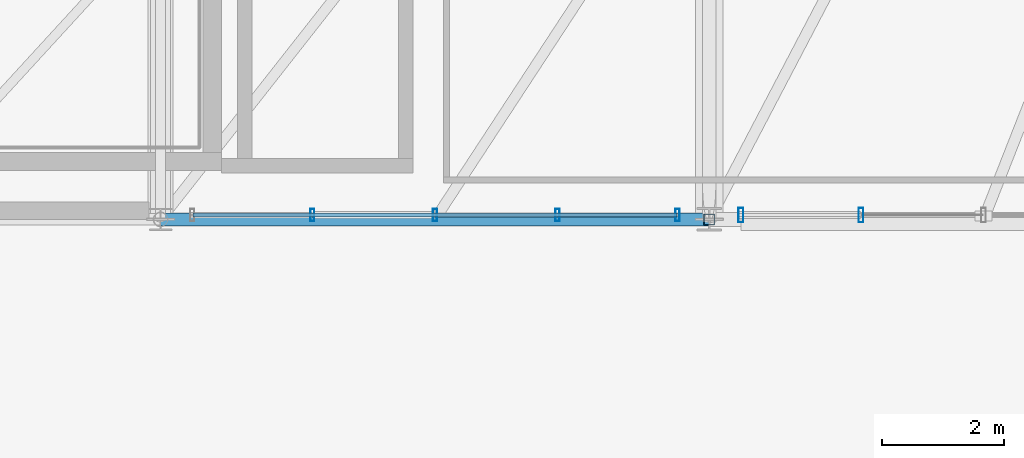
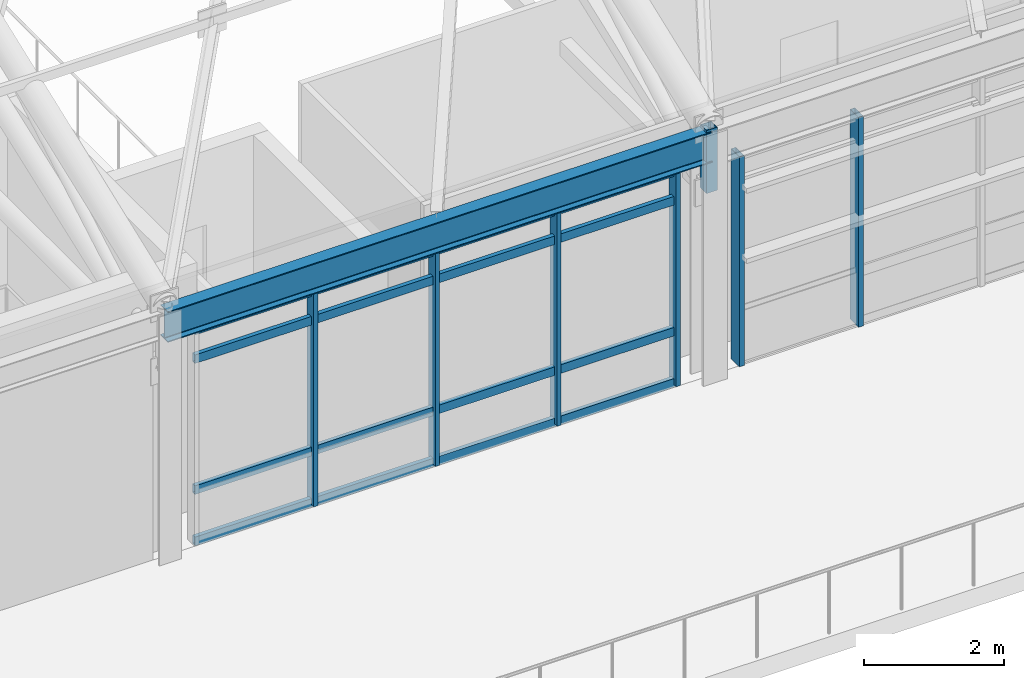
# One storey, part 19 of 168: 11 members, 1 beam, 2 elements without a shape of their own.
"""IFC4 building model written with IfcOpenShell, lengths in metres."""

from ifc_helpers import new_model, si_unit, direction, frame, origin, origin_2d, place, context, subcontext, project, spatial, hollow_rectangle, i_section, extrude, material, material_profile, profile_set, type_object, element, aggregate, save


model = new_model("IFC4")

# Units and contexts
model_context = context("Model", 3, precision=1e-05, world=origin(), true_north=direction((0.0, 1.0)))
body_context = subcontext(model_context, "Body", "Model", "MODEL_VIEW")
ifc_project = project(units=[si_unit("LENGTHUNIT", "METRE"), si_unit("AREAUNIT", "SQUARE_METRE"), si_unit("VOLUMEUNIT", "CUBIC_METRE"), si_unit("PLANEANGLEUNIT", "RADIAN"), si_unit("MASSUNIT", "GRAM", prefix="KILO"), si_unit("THERMODYNAMICTEMPERATUREUNIT", "KELVIN"), si_unit("POWERUNIT", "WATT")], contexts=[model_context])

# Site, building, storey
site_placement = place(None, origin())
site = spatial("IfcSite", under=ifc_project, at=site_placement, CompositionType="ELEMENT")
building_placement = place(site_placement, origin())
building = spatial("IfcBuilding", under=site, at=building_placement, Name="Tepalcoro Natatorium and Aquatics Centre", CompositionType="ELEMENT")
storey_placement = place(building_placement, frame((0.0, 0.0, 10.199951171875)))
storey = spatial("IfcBuildingStorey", under=building, at=storey_placement, Name="L02", CompositionType="ELEMENT", Elevation=10.199951171875)

# Curtain wall, members
ifc_material_1 = material(Name="Bronze-Anodised Extruded Aluminium Alloy EN AW-6063 T6", Category="aluminium")
curtain_wall_type_1 = type_object("IfcCurtainWallType", Name="CW_V3_FOYER", PredefinedType="USERDEFINED", material=ifc_material_1)
curtain_wall_1_placement = place(storey_placement, origin())
curtain_wall_1 = element("IfcCurtainWall", 1, at=curtain_wall_1_placement, inside=storey, type_object=curtain_wall_type_1, Name="V1 L02 S Unitised Curtain Wall Bay 2", ObjectType="UNITISED STOREFRONT", PredefinedType="USERDEFINED")
ifc_material_profile_1 = material_profile(ifc_material_1, hollow_rectangle(XDim=0.070068359375, YDim=0.199951171875, WallThickness=0.0048828125, at=origin_2d()), Name="AL70X200X5")
ifc_profile_set_1 = profile_set([ifc_material_profile_1], Name="Bronze-Anodised Extruded Aluminium Alloy EN AW-6063 T6")
member_type_1 = type_object("IfcMemberType", Name="CW_MUL_70x200", PredefinedType="MULLION", material=ifc_profile_set_1)
member_1_placement = place(storey_placement, frame((64.489990234375, 13.0712890625, 0.02001953125), z_axis=(0.0, 0.0, 1.0), x_axis=(1.0, 0.0, 0.0)))
member_1 = element("IfcMember", 2, at=member_1_placement, type_object=member_type_1, Name="CW_V3_FOYER Curtain Wall Mullion", PredefinedType="MULLION", context=body_context, shape_type="SweptSolid", body=[
    extrude(hollow_rectangle(XDim=0.070068359375, YDim=0.199951171875, WallThickness=0.0048828125, at=origin_2d()), origin(), (0.0, 0.0, 1.0), 3.744140625),
])
member_2_placement = place(storey_placement, frame((66.5, 13.0712890625, 0.02001953125), z_axis=(0.0, 0.0, 1.0), x_axis=(1.0, 0.0, 0.0)))
member_2 = element("IfcMember", 3, at=member_2_placement, type_object=member_type_1, Name="CW_V3_FOYER Curtain Wall Mullion", PredefinedType="MULLION", context=body_context, shape_type="SweptSolid", body=[
    extrude(hollow_rectangle(XDim=0.070068359375, YDim=0.199951171875, WallThickness=0.0048828125, at=origin_2d()), origin(), (0.0, 0.0, 1.0), 3.744140625),
])
member_3_placement = place(storey_placement, frame((68.510009765625, 13.0712890625, 0.02001953125), z_axis=(0.0, 0.0, 1.0), x_axis=(1.0, 0.0, 0.0)))
member_3 = element("IfcMember", 4, at=member_3_placement, type_object=member_type_1, Name="CW_V3_FOYER Curtain Wall Mullion", PredefinedType="MULLION", context=body_context, shape_type="SweptSolid", body=[
    extrude(hollow_rectangle(XDim=0.070068359375, YDim=0.199951171875, WallThickness=0.0048828125, at=origin_2d()), origin(), (0.0, 0.0, 1.0), 3.744140625),
])
member_4_placement = place(storey_placement, frame((70.47998046875, 13.0712890625, 0.02001953125), z_axis=(0.0, 0.0, 1.0), x_axis=(1.0, 0.0, 0.0)))
member_4 = element("IfcMember", 5, at=member_4_placement, type_object=member_type_1, Name="CW_V3_FOYER Curtain Wall Mullion", PredefinedType="MULLION", context=body_context, shape_type="SweptSolid", body=[
    extrude(hollow_rectangle(XDim=0.070068359375, YDim=0.199951171875, WallThickness=0.0048828125, at=origin_2d()), origin(), (0.0, 0.0, 1.0), 3.744140625),
])

curtain_wall_type_2 = type_object("IfcCurtainWallType", Name="CW_V4_VILLAGE", PredefinedType="USERDEFINED", material=ifc_material_1)
curtain_wall_2_placement = place(storey_placement, origin())
curtain_wall_2 = element("IfcCurtainWall", 6, at=curtain_wall_2_placement, inside=storey, type_object=curtain_wall_type_2, Name="V1 L02 S Unitised Curtain Wall Bay 3", ObjectType="UNITISED STOREFRONT", PredefinedType="USERDEFINED")
ifc_material_profile_2 = material_profile(ifc_material_1, hollow_rectangle(XDim=0.080078125, YDim=0.239990234375, WallThickness=0.0048828125, at=origin_2d()), Name="AL80X240X5")
ifc_profile_set_2 = profile_set([ifc_material_profile_2], Name="Bronze-Anodised Extruded Aluminium Alloy EN AW-6063 T6")
member_type_2 = type_object("IfcMemberType", Name="CW_MUL_80x240", PredefinedType="MULLION", material=ifc_profile_set_2)
member_5_placement = place(storey_placement, frame((71.52001953125, 13.0712890625, 0.02001953125), z_axis=(0.0, 0.0, 1.0), x_axis=(1.0, 0.0, 0.0)))
member_5 = element("IfcMember", 7, at=member_5_placement, type_object=member_type_2, Name="CW_V4_VILLAGE Curtain Wall Mullion", PredefinedType="MULLION", context=body_context, shape_type="SweptSolid", body=[
    extrude(hollow_rectangle(XDim=0.080078125, YDim=0.239990234375, WallThickness=0.0048828125, at=origin_2d()), origin(), (0.0, 0.0, 1.0), 3.66796875),
])
member_6_placement = place(storey_placement, frame((73.489990234375, 13.0712890625, 0.02001953125), z_axis=(0.0, 0.0, 1.0), x_axis=(1.0, 0.0, 0.0)))
member_6 = element("IfcMember", 8, at=member_6_placement, type_object=member_type_2, Name="CW_V4_VILLAGE Curtain Wall Mullion", PredefinedType="MULLION", context=body_context, shape_type="SweptSolid", body=[
    extrude(hollow_rectangle(XDim=0.080078125, YDim=0.239990234375, WallThickness=0.0048828125, at=origin_2d()), origin(), (0.0, 0.0, 1.0), 3.66796875),
])
aggregate(curtain_wall_2, [member_5, member_6])

# Member
ifc_material_profile_3 = material_profile(ifc_material_1, hollow_rectangle(XDim=0.070068359375, YDim=0.14990234375, WallThickness=0.00390625, at=origin_2d()), Name="AL70X150X4")
ifc_profile_set_3 = profile_set([ifc_material_profile_3], Name="Bronze-Anodised Extruded Aluminium Alloy EN AW-6063 T6")
member_type_3 = type_object("IfcMemberType", Name="CW_TRN_70x150", PredefinedType="USERDEFINED", material=ifc_profile_set_3)
member_7_placement = place(storey_placement, frame((62.530029296875, 13.0712890625, 0.050048828125), z_axis=(1.0, 0.0, 0.0), x_axis=(0.0, 1.0, 0.0)))
member_7 = element("IfcMember", 9, at=member_7_placement, type_object=member_type_3, Name="CW_V3_FOYER Curtain Wall Transom", ObjectType="TRANSOM", PredefinedType="USERDEFINED", context=body_context, shape_type="SweptSolid", body=[
    extrude(hollow_rectangle(XDim=0.070068359375, YDim=0.14990234375, WallThickness=0.00390625, at=origin_2d()), origin(), (0.0, 0.0, 1.0), 7.93994140625),
])

member_8_placement = place(storey_placement, frame((62.530029296875, 13.0712890625, 0.946044921875), z_axis=(1.0, 0.0, 0.0), x_axis=(0.0, 1.0, 0.0)))
member_8 = element("IfcMember", 10, at=member_8_placement, type_object=member_type_3, Name="CW_V3_FOYER Curtain Wall Transom", ObjectType="TRANSOM", PredefinedType="USERDEFINED", context=body_context, shape_type="SweptSolid", body=[
    extrude(hollow_rectangle(XDim=0.070068359375, YDim=0.14990234375, WallThickness=0.00390625, at=origin_2d()), origin(), (0.0, 0.0, 1.0), 7.93994140625),
])

member_9_placement = place(storey_placement, frame((62.530029296875, 13.0712890625, 3.234130859375), z_axis=(1.0, 0.0, 0.0), x_axis=(0.0, 1.0, 0.0)))
member_9 = element("IfcMember", 11, at=member_9_placement, type_object=member_type_3, Name="CW_V3_FOYER Curtain Wall Transom", ObjectType="TRANSOM", PredefinedType="USERDEFINED", context=body_context, shape_type="SweptSolid", body=[
    extrude(hollow_rectangle(XDim=0.070068359375, YDim=0.14990234375, WallThickness=0.00390625, at=origin_2d()), origin(), (0.0, 0.0, 1.0), 7.93994140625),
])

member_10_placement = place(storey_placement, frame((62.530029296875, 13.0712890625, 3.734130859375), z_axis=(1.0, 0.0, 0.0), x_axis=(0.0, 1.0, 0.0)))
member_10 = element("IfcMember", 12, at=member_10_placement, type_object=member_type_3, Name="CW_V3_FOYER Curtain Wall Transom", ObjectType="TRANSOM", PredefinedType="USERDEFINED", context=body_context, shape_type="SweptSolid", body=[
    extrude(hollow_rectangle(XDim=0.070068359375, YDim=0.14990234375, WallThickness=0.00390625, at=origin_2d()), origin(), (0.0, 0.0, 1.0), 7.93994140625),
])

aggregate(curtain_wall_1, [member_1, member_2, member_3, member_4, member_7, member_8, member_9, member_10])

ifc_material_2 = material(Name="Terracotta Painted Hollow Steel ASTM A500 Grade C (Fy 345 MPa)", Category="masonry")
ifc_material_profile_4 = material_profile(ifc_material_2, hollow_rectangle(XDim=0.179931640625, YDim=0.179931640625, WallThickness=0.010009765625, at=origin_2d()), Name="HSS180X180X10")
ifc_profile_set_4 = profile_set([ifc_material_profile_4], Name="Terracotta Painted Hollow Steel ASTM A500 Grade C (Fy 345 MPa)")
member_type_4 = type_object("IfcMemberType", Name="MB_PS_HSS180x180x10", PredefinedType="POST", material=ifc_profile_set_4)
member_11_placement = place(storey_placement, frame((71.0, 13.0, 3.271484375), z_axis=(0.0, 0.0, 1.0), x_axis=(1.0, 0.0, 0.0)))
element("IfcMember", 13, at=member_11_placement, inside=storey, type_object=member_type_4, Name="V1 Arched Truss Vertical Post 3", PredefinedType="POST", context=body_context, shape_type="SweptSolid", body=[
    extrude(hollow_rectangle(XDim=0.179931640625, YDim=0.179931640625, WallThickness=0.010009765625, at=origin_2d()), origin(), (0.0, 0.0, 1.0), 1.10009765625),
])

# Beam
ifc_material_3 = material(Name="Steel ASTM A992 Grade 50 (Fy 345 MPa)", Category="steel")
ifc_material_profile_5 = material_profile(ifc_material_3, i_section(OverallWidth=0.2099609375, OverallDepth=0.535888671875, WebThickness=0.010986328125, FlangeThickness=0.01708984375, FilletRadius=0.013916015625, at=origin_2d()), Name="W21X68")
ifc_profile_set_5 = profile_set([ifc_material_profile_5], Name="Steel ASTM A992 Grade 50 (Fy 345 MPa)")
beam_type = type_object("IfcBeamType", Name="SP_W21x68", PredefinedType="SPANDREL", material=ifc_profile_set_5)
beam_placement = place(storey_placement, frame((62.0, 13.0, 4.067138671875), z_axis=(1.0, 0.0, 0.0), x_axis=(0.0, 1.0, 0.0)))
element("IfcBeam", 14, at=beam_placement, inside=storey, type_object=beam_type, Name="V1 L02 Grid Girder X", PredefinedType="SPANDREL", context=body_context, shape_type="SweptSolid", body=[
    extrude(i_section(OverallWidth=0.2099609375, OverallDepth=0.535888671875, WebThickness=0.010986328125, FlangeThickness=0.01708984375, FilletRadius=0.013916015625, at=origin_2d()), origin(), (0.0, 0.0, 1.0), 9.0),
])

save(model, "model.ifc")
